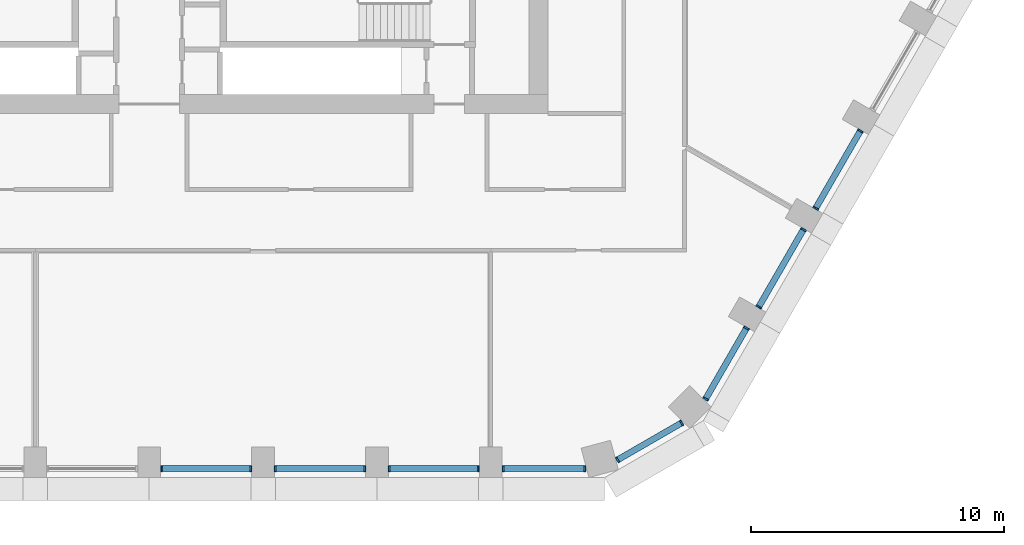
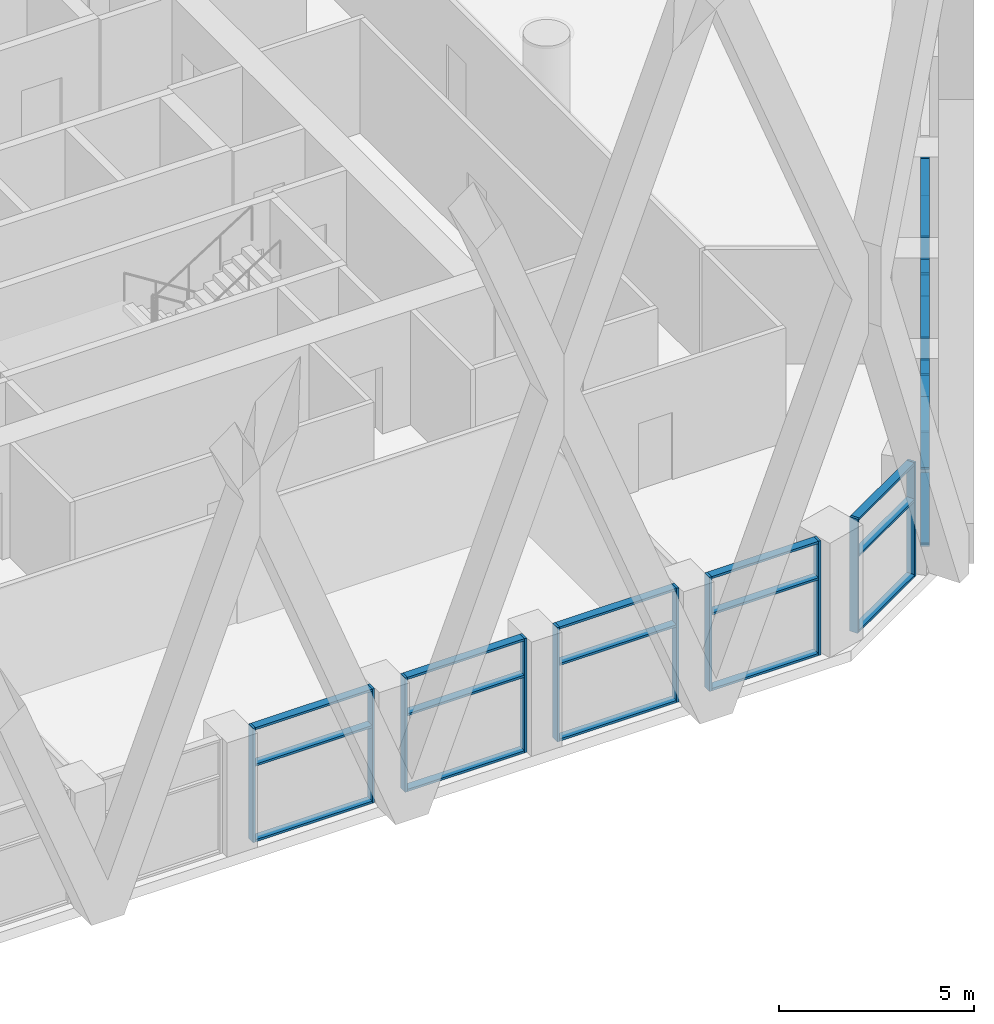
# One storey, part 3 of 24: 40 members, 8 elements without a shape of their own.
"""IFC4 building model written with IfcOpenShell, lengths in metres."""

from ifc_helpers import new_model, si_unit, direction, frame, origin, origin_2d, place, context, subcontext, project, spatial, rectangle, extrude, material, layer, layer_set, material_profile, profile_set, type_object, element, aggregate, save


model = new_model("IFC4")

# Units and contexts
model_context = context("Model", 3, precision=1e-05, world=origin(), true_north=direction((0.0, 1.0)))
body_context = subcontext(model_context, "Body", "Model", "MODEL_VIEW")
ifc_project = project(units=[si_unit("LENGTHUNIT", "METRE"), si_unit("AREAUNIT", "SQUARE_METRE"), si_unit("VOLUMEUNIT", "CUBIC_METRE"), si_unit("PLANEANGLEUNIT", "RADIAN"), si_unit("MASSUNIT", "GRAM", prefix="KILO")], contexts=[model_context])

# Site, building, storey
site_placement = place(None, origin())
site = spatial("IfcSite", under=ifc_project, at=site_placement, CompositionType="ELEMENT")
building_placement = place(site_placement, origin())
building = spatial("IfcBuilding", under=site, at=building_placement, Name="Dhurran Vertical Campus", CompositionType="ELEMENT")
storey_placement = place(building_placement, frame((0.0, 0.0, 132.60009765625)))
storey = spatial("IfcBuildingStorey", under=building, at=storey_placement, Name="L32", CompositionType="ELEMENT", Elevation=132.60009765625)

# Curtain wall, members
ifc_material_1 = material(Name="Aluminium frame with solar-control glass", Category="aluminium")
ifc_layer = layer(ifc_material_1, 0.25)
ifc_layer_set = layer_set([ifc_layer], Name="Aluminium frame with solar-control glass")
curtain_wall_type = type_object("IfcCurtainWallType", Name="Sky lobby glazing system", PredefinedType="NOTDEFINED", material=ifc_layer_set)
curtain_wall_1_placement = place(storey_placement, origin())
curtain_wall_1 = element("IfcCurtainWall", 1, at=curtain_wall_1_placement, inside=storey, type_object=curtain_wall_type, Name="CW3 L32.04", PredefinedType="NOTDEFINED")
ifc_material_2 = material(Name="Aluminium mullion", Category="aluminium")
ifc_material_profile_1 = material_profile(ifc_material_2, rectangle(XDim=0.239990234375, YDim=0.070068359375, at=origin_2d()), Name="Sky lobby glazing system mullion")
ifc_profile_set_1 = profile_set([ifc_material_profile_1], Name="Aluminium mullion")
member_type_1 = type_object("IfcMemberType", Name="Sky lobby glazing system mullion", PredefinedType="MULLION", material=ifc_profile_set_1)
member_1_placement = place(storey_placement, frame((0.485595703125, -27.53271484375, 0.0), z_axis=(0.0, 0.0, 1.0), x_axis=(0.0, 1.0, 0.0)))
member_1 = element("IfcMember", 2, at=member_1_placement, type_object=member_type_1, Name="CW3 mullion 1", PredefinedType="MULLION", context=body_context, shape_type="SweptSolid", body=[
    extrude(rectangle(XDim=0.239990234375, YDim=0.070068359375, at=origin_2d()), origin(), (0.0, 0.0, 1.0), 3.574951171875),
])
member_2_placement = place(storey_placement, frame((4.014404296875, -27.53271484375, 0.0), z_axis=(0.0, 0.0, 1.0), x_axis=(0.0, 1.0, 0.0)))
member_2 = element("IfcMember", 3, at=member_2_placement, type_object=member_type_1, Name="CW3 mullion 2", PredefinedType="MULLION", context=body_context, shape_type="SweptSolid", body=[
    extrude(rectangle(XDim=0.239990234375, YDim=0.070068359375, at=origin_2d()), origin(), (0.0, 0.0, 1.0), 3.574951171875),
])

curtain_wall_2_placement = place(storey_placement, origin())
curtain_wall_2 = element("IfcCurtainWall", 4, at=curtain_wall_2_placement, inside=storey, type_object=curtain_wall_type, Name="CW3 L32.05", PredefinedType="NOTDEFINED")
member_3_placement = place(storey_placement, frame((4.985595703125, -27.53271484375, 0.0), z_axis=(0.0, 0.0, 1.0), x_axis=(0.0, 1.0, 0.0)))
member_3 = element("IfcMember", 5, at=member_3_placement, type_object=member_type_1, Name="CW3 mullion 1", PredefinedType="MULLION", context=body_context, shape_type="SweptSolid", body=[
    extrude(rectangle(XDim=0.239990234375, YDim=0.070068359375, at=origin_2d()), origin(), (0.0, 0.0, 1.0), 3.574951171875),
])
member_4_placement = place(storey_placement, frame((8.514404296875, -27.53271484375, 0.0), z_axis=(0.0, 0.0, 1.0), x_axis=(0.0, 1.0, 0.0)))
member_4 = element("IfcMember", 6, at=member_4_placement, type_object=member_type_1, Name="CW3 mullion 2", PredefinedType="MULLION", context=body_context, shape_type="SweptSolid", body=[
    extrude(rectangle(XDim=0.239990234375, YDim=0.070068359375, at=origin_2d()), origin(), (0.0, 0.0, 1.0), 3.574951171875),
])

curtain_wall_3_placement = place(storey_placement, origin())
curtain_wall_3 = element("IfcCurtainWall", 7, at=curtain_wall_3_placement, inside=storey, type_object=curtain_wall_type, Name="CW3 L32.06", PredefinedType="NOTDEFINED")
member_5_placement = place(storey_placement, frame((9.485595703125, -27.53271484375, 0.0), z_axis=(0.0, 0.0, 1.0), x_axis=(0.0, 1.0, 0.0)))
member_5 = element("IfcMember", 8, at=member_5_placement, type_object=member_type_1, Name="CW3 mullion 1", PredefinedType="MULLION", context=body_context, shape_type="SweptSolid", body=[
    extrude(rectangle(XDim=0.239990234375, YDim=0.070068359375, at=origin_2d()), origin(), (0.0, 0.0, 1.0), 3.574951171875),
])
member_6_placement = place(storey_placement, frame((13.014404296875, -27.53271484375, 0.0), z_axis=(0.0, 0.0, 1.0), x_axis=(0.0, 1.0, 0.0)))
member_6 = element("IfcMember", 9, at=member_6_placement, type_object=member_type_1, Name="CW3 mullion 2", PredefinedType="MULLION", context=body_context, shape_type="SweptSolid", body=[
    extrude(rectangle(XDim=0.239990234375, YDim=0.070068359375, at=origin_2d()), origin(), (0.0, 0.0, 1.0), 3.574951171875),
])

curtain_wall_4_placement = place(storey_placement, origin())
curtain_wall_4 = element("IfcCurtainWall", 10, at=curtain_wall_4_placement, inside=storey, type_object=curtain_wall_type, Name="CW3 L32.07", PredefinedType="NOTDEFINED")
member_7_placement = place(storey_placement, frame((13.985595703125, -27.53271484375, 0.0), z_axis=(0.0, 0.0, 1.0), x_axis=(0.0, 1.0, 0.0)))
member_7 = element("IfcMember", 11, at=member_7_placement, type_object=member_type_1, Name="CW3 mullion 1", PredefinedType="MULLION", context=body_context, shape_type="SweptSolid", body=[
    extrude(rectangle(XDim=0.239990234375, YDim=0.070068359375, at=origin_2d()), origin(), (0.0, 0.0, 1.0), 3.574951171875),
])
member_8_placement = place(storey_placement, frame((17.209716796875, -27.53271484375, 0.0), z_axis=(0.0, 0.0, 1.0), x_axis=(0.0, 1.0, 0.0)))
member_8 = element("IfcMember", 12, at=member_8_placement, type_object=member_type_1, Name="CW3 mullion 2", PredefinedType="MULLION", context=body_context, shape_type="SweptSolid", body=[
    extrude(rectangle(XDim=0.239990234375, YDim=0.070068359375, at=origin_2d()), origin(), (0.0, 0.0, 1.0), 3.574951171875),
])

curtain_wall_5_placement = place(storey_placement, origin())
curtain_wall_5 = element("IfcCurtainWall", 13, at=curtain_wall_5_placement, inside=storey, type_object=curtain_wall_type, Name="CW3 L32.08", PredefinedType="NOTDEFINED")
member_9_placement = place(storey_placement, frame((18.509521484375, -27.184326171875, 0.0), z_axis=(0.0, 0.0, 1.0), x_axis=(-0.500003351625, 0.866023468714, 0.0)))
member_9 = element("IfcMember", 14, at=member_9_placement, type_object=member_type_1, Name="CW3 mullion 1", PredefinedType="MULLION", context=body_context, shape_type="SweptSolid", body=[
    extrude(rectangle(XDim=0.239990234375, YDim=0.070068359375, at=origin_2d()), origin(), (0.0, 0.0, 1.0), 3.574951171875),
])
member_10_placement = place(storey_placement, frame((21.03759765625, -25.724853515625, 0.0), z_axis=(0.0, 0.0, 1.0), x_axis=(-0.500003351625, 0.866023468714, 0.0)))
member_10 = element("IfcMember", 15, at=member_10_placement, type_object=member_type_1, Name="CW3 mullion 2", PredefinedType="MULLION", context=body_context, shape_type="SweptSolid", body=[
    extrude(rectangle(XDim=0.239990234375, YDim=0.070068359375, at=origin_2d()), origin(), (0.0, 0.0, 1.0), 3.574951171875),
])

curtain_wall_6_placement = place(storey_placement, origin())
curtain_wall_6 = element("IfcCurtainWall", 16, at=curtain_wall_6_placement, inside=storey, type_object=curtain_wall_type, Name="CW3 L32.09", PredefinedType="NOTDEFINED")
member_11_placement = place(storey_placement, frame((21.9892578125, -24.773193359375, 0.0), z_axis=(0.0, 0.0, 1.0), x_axis=(-0.866026338808, 0.499998380488, 0.0)))
member_11 = element("IfcMember", 17, at=member_11_placement, type_object=member_type_1, Name="CW3 mullion 1", PredefinedType="MULLION", context=body_context, shape_type="SweptSolid", body=[
    extrude(rectangle(XDim=0.239990234375, YDim=0.070068359375, at=origin_2d()), origin(), (0.0, 0.0, 1.0), 3.574951171875),
])
member_12_placement = place(storey_placement, frame((23.601318359375, -21.98095703125, 0.0), z_axis=(0.0, 0.0, 1.0), x_axis=(-0.866026338808, 0.499998380488, 0.0)))
member_12 = element("IfcMember", 18, at=member_12_placement, type_object=member_type_1, Name="CW3 mullion 2", PredefinedType="MULLION", context=body_context, shape_type="SweptSolid", body=[
    extrude(rectangle(XDim=0.239990234375, YDim=0.070068359375, at=origin_2d()), origin(), (0.0, 0.0, 1.0), 3.574951171875),
])

curtain_wall_7_placement = place(storey_placement, origin())
curtain_wall_7 = element("IfcCurtainWall", 19, at=curtain_wall_7_placement, inside=storey, type_object=curtain_wall_type, Name="CW3 L32.10", PredefinedType="NOTDEFINED")
member_13_placement = place(storey_placement, frame((24.0869140625, -21.14013671875, 0.0), z_axis=(0.0, 0.0, 1.0), x_axis=(-0.866023637427, 0.500003059408, 0.0)))
member_13 = element("IfcMember", 20, at=member_13_placement, type_object=member_type_1, Name="CW3 mullion 1", PredefinedType="MULLION", context=body_context, shape_type="SweptSolid", body=[
    extrude(rectangle(XDim=0.239990234375, YDim=0.070068359375, at=origin_2d()), origin(), (0.0, 0.0, 1.0), 3.574951171875),
])
member_14_placement = place(storey_placement, frame((25.851318359375, -18.083984375, 0.0), z_axis=(0.0, 0.0, 1.0), x_axis=(-0.866023637427, 0.500003059408, 0.0)))
member_14 = element("IfcMember", 21, at=member_14_placement, type_object=member_type_1, Name="CW3 mullion 2", PredefinedType="MULLION", context=body_context, shape_type="SweptSolid", body=[
    extrude(rectangle(XDim=0.239990234375, YDim=0.070068359375, at=origin_2d()), origin(), (0.0, 0.0, 1.0), 3.574951171875),
])

curtain_wall_8_placement = place(storey_placement, origin())
curtain_wall_8 = element("IfcCurtainWall", 22, at=curtain_wall_8_placement, inside=storey, type_object=curtain_wall_type, Name="CW3 L32.11", PredefinedType="NOTDEFINED")
member_15_placement = place(storey_placement, frame((26.3369140625, -17.242919921875, 0.0), z_axis=(0.0, 0.0, 1.0), x_axis=(-0.866023637427, 0.500003059408, 0.0)))
member_15 = element("IfcMember", 23, at=member_15_placement, type_object=member_type_1, Name="CW3 mullion 1", PredefinedType="MULLION", context=body_context, shape_type="SweptSolid", body=[
    extrude(rectangle(XDim=0.239990234375, YDim=0.070068359375, at=origin_2d()), origin(), (0.0, 0.0, 1.0), 3.574951171875),
])
member_16_placement = place(storey_placement, frame((28.101318359375, -14.186767578125, 0.0), z_axis=(0.0, 0.0, 1.0), x_axis=(-0.866023637427, 0.500003059408, 0.0)))
member_16 = element("IfcMember", 24, at=member_16_placement, type_object=member_type_1, Name="CW3 mullion 2", PredefinedType="MULLION", context=body_context, shape_type="SweptSolid", body=[
    extrude(rectangle(XDim=0.239990234375, YDim=0.070068359375, at=origin_2d()), origin(), (0.0, 0.0, 1.0), 3.574951171875),
])

# Member
ifc_material_3 = material(Name="Aluminium transom", Category="aluminium")
ifc_material_profile_2 = material_profile(ifc_material_3, rectangle(XDim=0.239990234375, YDim=0.070068359375, at=origin_2d()), Name="Sky lobby glazing system transom")
ifc_profile_set_2 = profile_set([ifc_material_profile_2], Name="Aluminium transom")
member_type_2 = type_object("IfcMemberType", Name="Sky lobby glazing system transom", PredefinedType="USERDEFINED", material=ifc_profile_set_2)
member_17_placement = place(storey_placement, frame((0.5205078125, -27.53271484375, 0.034912109375), z_axis=(1.0, 0.0, 0.0), x_axis=(0.0, 1.0, 0.0)))
member_17 = element("IfcMember", 25, at=member_17_placement, type_object=member_type_2, Name="CW3 transom 1.1", ObjectType="TRANSOM", PredefinedType="USERDEFINED", context=body_context, shape_type="SweptSolid", body=[
    extrude(rectangle(XDim=0.239990234375, YDim=0.070068359375, at=origin_2d()), origin(), (0.0, 0.0, 1.0), 3.458984375),
])

member_18_placement = place(storey_placement, frame((0.5205078125, -27.53271484375, 2.39990234375), z_axis=(1.0, 0.0, 0.0), x_axis=(0.0, 1.0, 0.0)))
member_18 = element("IfcMember", 26, at=member_18_placement, type_object=member_type_2, Name="CW3 transom 1.2", ObjectType="TRANSOM", PredefinedType="USERDEFINED", context=body_context, shape_type="SweptSolid", body=[
    extrude(rectangle(XDim=0.239990234375, YDim=0.070068359375, at=origin_2d()), origin(), (0.0, 0.0, 1.0), 3.458984375),
])

member_19_placement = place(storey_placement, frame((0.5205078125, -27.53271484375, 3.539794921875), z_axis=(1.0, 0.0, 0.0), x_axis=(0.0, 1.0, 0.0)))
member_19 = element("IfcMember", 27, at=member_19_placement, type_object=member_type_2, Name="CW3 transom 1.3", ObjectType="TRANSOM", PredefinedType="USERDEFINED", context=body_context, shape_type="SweptSolid", body=[
    extrude(rectangle(XDim=0.239990234375, YDim=0.070068359375, at=origin_2d()), origin(), (0.0, 0.0, 1.0), 3.458984375),
])

aggregate(curtain_wall_1, [member_1, member_2, member_17, member_18, member_19])

member_20_placement = place(storey_placement, frame((5.0205078125, -27.53271484375, 0.034912109375), z_axis=(1.0, 0.0, 0.0), x_axis=(0.0, 1.0, 0.0)))
member_20 = element("IfcMember", 28, at=member_20_placement, type_object=member_type_2, Name="CW3 transom 1.1", ObjectType="TRANSOM", PredefinedType="USERDEFINED", context=body_context, shape_type="SweptSolid", body=[
    extrude(rectangle(XDim=0.239990234375, YDim=0.070068359375, at=origin_2d()), origin(), (0.0, 0.0, 1.0), 3.458984375),
])

member_21_placement = place(storey_placement, frame((5.0205078125, -27.53271484375, 2.39990234375), z_axis=(1.0, 0.0, 0.0), x_axis=(0.0, 1.0, 0.0)))
member_21 = element("IfcMember", 29, at=member_21_placement, type_object=member_type_2, Name="CW3 transom 1.2", ObjectType="TRANSOM", PredefinedType="USERDEFINED", context=body_context, shape_type="SweptSolid", body=[
    extrude(rectangle(XDim=0.239990234375, YDim=0.070068359375, at=origin_2d()), origin(), (0.0, 0.0, 1.0), 3.458984375),
])

member_22_placement = place(storey_placement, frame((5.0205078125, -27.53271484375, 3.539794921875), z_axis=(1.0, 0.0, 0.0), x_axis=(0.0, 1.0, 0.0)))
member_22 = element("IfcMember", 30, at=member_22_placement, type_object=member_type_2, Name="CW3 transom 1.3", ObjectType="TRANSOM", PredefinedType="USERDEFINED", context=body_context, shape_type="SweptSolid", body=[
    extrude(rectangle(XDim=0.239990234375, YDim=0.070068359375, at=origin_2d()), origin(), (0.0, 0.0, 1.0), 3.458984375),
])

aggregate(curtain_wall_2, [member_3, member_4, member_20, member_21, member_22])

member_23_placement = place(storey_placement, frame((9.5205078125, -27.53271484375, 0.034912109375), z_axis=(1.0, 0.0, 0.0), x_axis=(0.0, 1.0, 0.0)))
member_23 = element("IfcMember", 31, at=member_23_placement, type_object=member_type_2, Name="CW3 transom 1.1", ObjectType="TRANSOM", PredefinedType="USERDEFINED", context=body_context, shape_type="SweptSolid", body=[
    extrude(rectangle(XDim=0.239990234375, YDim=0.070068359375, at=origin_2d()), origin(), (0.0, 0.0, 1.0), 3.458984375),
])

member_24_placement = place(storey_placement, frame((9.5205078125, -27.53271484375, 2.39990234375), z_axis=(1.0, 0.0, 0.0), x_axis=(0.0, 1.0, 0.0)))
member_24 = element("IfcMember", 32, at=member_24_placement, type_object=member_type_2, Name="CW3 transom 1.2", ObjectType="TRANSOM", PredefinedType="USERDEFINED", context=body_context, shape_type="SweptSolid", body=[
    extrude(rectangle(XDim=0.239990234375, YDim=0.070068359375, at=origin_2d()), origin(), (0.0, 0.0, 1.0), 3.458984375),
])

member_25_placement = place(storey_placement, frame((9.5205078125, -27.53271484375, 3.539794921875), z_axis=(1.0, 0.0, 0.0), x_axis=(0.0, 1.0, 0.0)))
member_25 = element("IfcMember", 33, at=member_25_placement, type_object=member_type_2, Name="CW3 transom 1.3", ObjectType="TRANSOM", PredefinedType="USERDEFINED", context=body_context, shape_type="SweptSolid", body=[
    extrude(rectangle(XDim=0.239990234375, YDim=0.070068359375, at=origin_2d()), origin(), (0.0, 0.0, 1.0), 3.458984375),
])

aggregate(curtain_wall_3, [member_5, member_6, member_23, member_24, member_25])

member_26_placement = place(storey_placement, frame((14.0205078125, -27.53271484375, 0.034912109375), z_axis=(1.0, 0.0, 0.0), x_axis=(0.0, 1.0, 0.0)))
member_26 = element("IfcMember", 34, at=member_26_placement, type_object=member_type_2, Name="CW3 transom 1.1", ObjectType="TRANSOM", PredefinedType="USERDEFINED", context=body_context, shape_type="SweptSolid", body=[
    extrude(rectangle(XDim=0.239990234375, YDim=0.070068359375, at=origin_2d()), origin(), (0.0, 0.0, 1.0), 3.154052734375),
])

member_27_placement = place(storey_placement, frame((14.0205078125, -27.53271484375, 2.39990234375), z_axis=(1.0, 0.0, 0.0), x_axis=(0.0, 1.0, 0.0)))
member_27 = element("IfcMember", 35, at=member_27_placement, type_object=member_type_2, Name="CW3 transom 1.2", ObjectType="TRANSOM", PredefinedType="USERDEFINED", context=body_context, shape_type="SweptSolid", body=[
    extrude(rectangle(XDim=0.239990234375, YDim=0.070068359375, at=origin_2d()), origin(), (0.0, 0.0, 1.0), 3.154052734375),
])

member_28_placement = place(storey_placement, frame((14.0205078125, -27.53271484375, 3.539794921875), z_axis=(1.0, 0.0, 0.0), x_axis=(0.0, 1.0, 0.0)))
member_28 = element("IfcMember", 36, at=member_28_placement, type_object=member_type_2, Name="CW3 transom 1.3", ObjectType="TRANSOM", PredefinedType="USERDEFINED", context=body_context, shape_type="SweptSolid", body=[
    extrude(rectangle(XDim=0.239990234375, YDim=0.070068359375, at=origin_2d()), origin(), (0.0, 0.0, 1.0), 3.154052734375),
])

aggregate(curtain_wall_4, [member_7, member_8, member_26, member_27, member_28])

member_29_placement = place(storey_placement, frame((18.539794921875, -27.1669921875, 0.034912109375), z_axis=(0.865998658444, 0.500046321428, 0.0), x_axis=(-0.500046321428, 0.865998658444, 0.0)))
member_29 = element("IfcMember", 37, at=member_29_placement, type_object=member_type_2, Name="CW3 transom 1.1", ObjectType="TRANSOM", PredefinedType="USERDEFINED", context=body_context, shape_type="SweptSolid", body=[
    extrude(rectangle(XDim=0.239990234375, YDim=0.070068359375, at=origin_2d()), origin(), (0.0, 0.0, 1.0), 2.849365234375),
])

member_30_placement = place(storey_placement, frame((18.539794921875, -27.1669921875, 2.39990234375), z_axis=(0.865998658444, 0.500046321428, 0.0), x_axis=(-0.500046321428, 0.865998658444, 0.0)))
member_30 = element("IfcMember", 38, at=member_30_placement, type_object=member_type_2, Name="CW3 transom 1.2", ObjectType="TRANSOM", PredefinedType="USERDEFINED", context=body_context, shape_type="SweptSolid", body=[
    extrude(rectangle(XDim=0.239990234375, YDim=0.070068359375, at=origin_2d()), origin(), (0.0, 0.0, 1.0), 2.849365234375),
])

member_31_placement = place(storey_placement, frame((18.539794921875, -27.1669921875, 3.539794921875), z_axis=(0.865998658444, 0.500046321428, 0.0), x_axis=(-0.500046321428, 0.865998658444, 0.0)))
member_31 = element("IfcMember", 39, at=member_31_placement, type_object=member_type_2, Name="CW3 transom 1.3", ObjectType="TRANSOM", PredefinedType="USERDEFINED", context=body_context, shape_type="SweptSolid", body=[
    extrude(rectangle(XDim=0.239990234375, YDim=0.070068359375, at=origin_2d()), origin(), (0.0, 0.0, 1.0), 2.849365234375),
])

aggregate(curtain_wall_5, [member_9, member_10, member_29, member_30, member_31])

member_32_placement = place(storey_placement, frame((22.0068359375, -24.74267578125, 0.034912109375), z_axis=(0.499977078692, 0.866038637003, 0.0), x_axis=(-0.866038637003, 0.499977078692, 0.0)))
member_32 = element("IfcMember", 40, at=member_32_placement, type_object=member_type_2, Name="CW3 transom 1.1", ObjectType="TRANSOM", PredefinedType="USERDEFINED", context=body_context, shape_type="SweptSolid", body=[
    extrude(rectangle(XDim=0.239990234375, YDim=0.070068359375, at=origin_2d()), origin(), (0.0, 0.0, 1.0), 3.154052734375),
])

member_33_placement = place(storey_placement, frame((22.0068359375, -24.74267578125, 2.39990234375), z_axis=(0.499977078692, 0.866038637003, 0.0), x_axis=(-0.866038637003, 0.499977078692, 0.0)))
member_33 = element("IfcMember", 41, at=member_33_placement, type_object=member_type_2, Name="CW3 transom 1.2", ObjectType="TRANSOM", PredefinedType="USERDEFINED", context=body_context, shape_type="SweptSolid", body=[
    extrude(rectangle(XDim=0.239990234375, YDim=0.070068359375, at=origin_2d()), origin(), (0.0, 0.0, 1.0), 3.154052734375),
])

member_34_placement = place(storey_placement, frame((22.0068359375, -24.74267578125, 3.539794921875), z_axis=(0.499977078692, 0.866038637003, 0.0), x_axis=(-0.866038637003, 0.499977078692, 0.0)))
member_34 = element("IfcMember", 42, at=member_34_placement, type_object=member_type_2, Name="CW3 transom 1.3", ObjectType="TRANSOM", PredefinedType="USERDEFINED", context=body_context, shape_type="SweptSolid", body=[
    extrude(rectangle(XDim=0.239990234375, YDim=0.070068359375, at=origin_2d()), origin(), (0.0, 0.0, 1.0), 3.154052734375),
])

aggregate(curtain_wall_6, [member_11, member_12, member_32, member_33, member_34])

member_35_placement = place(storey_placement, frame((24.104248046875, -21.10986328125, 0.034912109375), z_axis=(0.499995352082, 0.866028087245, 0.0), x_axis=(-0.866028087245, 0.499995352082, 0.0)))
member_35 = element("IfcMember", 43, at=member_35_placement, type_object=member_type_2, Name="CW3 transom 1.1", ObjectType="TRANSOM", PredefinedType="USERDEFINED", context=body_context, shape_type="SweptSolid", body=[
    extrude(rectangle(XDim=0.239990234375, YDim=0.070068359375, at=origin_2d()), origin(), (0.0, 0.0, 1.0), 3.458984375),
])

member_36_placement = place(storey_placement, frame((24.104248046875, -21.10986328125, 2.39990234375), z_axis=(0.499995352082, 0.866028087245, 0.0), x_axis=(-0.866028087245, 0.499995352082, 0.0)))
member_36 = element("IfcMember", 44, at=member_36_placement, type_object=member_type_2, Name="CW3 transom 1.2", ObjectType="TRANSOM", PredefinedType="USERDEFINED", context=body_context, shape_type="SweptSolid", body=[
    extrude(rectangle(XDim=0.239990234375, YDim=0.070068359375, at=origin_2d()), origin(), (0.0, 0.0, 1.0), 3.458984375),
])

member_37_placement = place(storey_placement, frame((24.104248046875, -21.10986328125, 3.539794921875), z_axis=(0.499995352082, 0.866028087245, 0.0), x_axis=(-0.866028087245, 0.499995352082, 0.0)))
member_37 = element("IfcMember", 45, at=member_37_placement, type_object=member_type_2, Name="CW3 transom 1.3", ObjectType="TRANSOM", PredefinedType="USERDEFINED", context=body_context, shape_type="SweptSolid", body=[
    extrude(rectangle(XDim=0.239990234375, YDim=0.070068359375, at=origin_2d()), origin(), (0.0, 0.0, 1.0), 3.458984375),
])

aggregate(curtain_wall_7, [member_13, member_14, member_35, member_36, member_37])

member_38_placement = place(storey_placement, frame((26.354248046875, -17.212646484375, 0.034912109375), z_axis=(0.499995352082, 0.866028087245, 0.0), x_axis=(-0.866028087245, 0.499995352082, 0.0)))
member_38 = element("IfcMember", 46, at=member_38_placement, type_object=member_type_2, Name="CW3 transom 1.1", ObjectType="TRANSOM", PredefinedType="USERDEFINED", context=body_context, shape_type="SweptSolid", body=[
    extrude(rectangle(XDim=0.239990234375, YDim=0.070068359375, at=origin_2d()), origin(), (0.0, 0.0, 1.0), 3.458984375),
])

member_39_placement = place(storey_placement, frame((26.354248046875, -17.212646484375, 2.39990234375), z_axis=(0.499995352082, 0.866028087245, 0.0), x_axis=(-0.866028087245, 0.499995352082, 0.0)))
member_39 = element("IfcMember", 47, at=member_39_placement, type_object=member_type_2, Name="CW3 transom 1.2", ObjectType="TRANSOM", PredefinedType="USERDEFINED", context=body_context, shape_type="SweptSolid", body=[
    extrude(rectangle(XDim=0.239990234375, YDim=0.070068359375, at=origin_2d()), origin(), (0.0, 0.0, 1.0), 3.458984375),
])

member_40_placement = place(storey_placement, frame((26.354248046875, -17.212646484375, 3.539794921875), z_axis=(0.499995352082, 0.866028087245, 0.0), x_axis=(-0.866028087245, 0.499995352082, 0.0)))
member_40 = element("IfcMember", 48, at=member_40_placement, type_object=member_type_2, Name="CW3 transom 1.3", ObjectType="TRANSOM", PredefinedType="USERDEFINED", context=body_context, shape_type="SweptSolid", body=[
    extrude(rectangle(XDim=0.239990234375, YDim=0.070068359375, at=origin_2d()), origin(), (0.0, 0.0, 1.0), 3.458984375),
])

aggregate(curtain_wall_8, [member_15, member_16, member_38, member_39, member_40])

save(model, "model.ifc")
